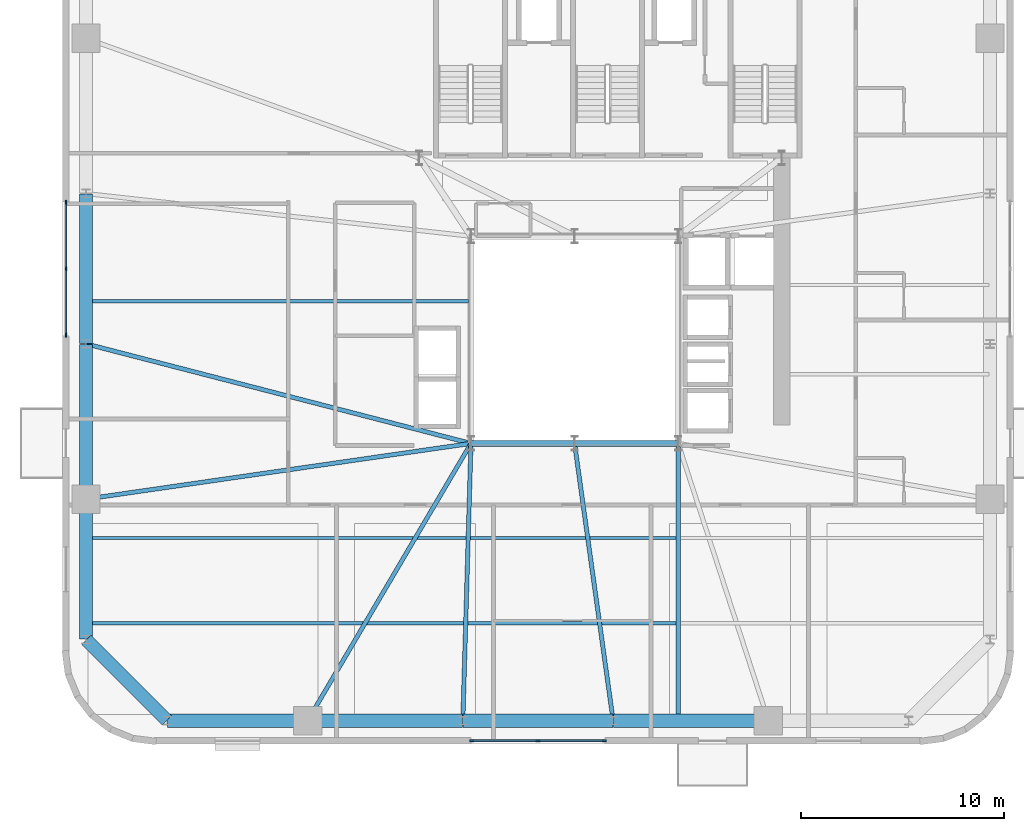
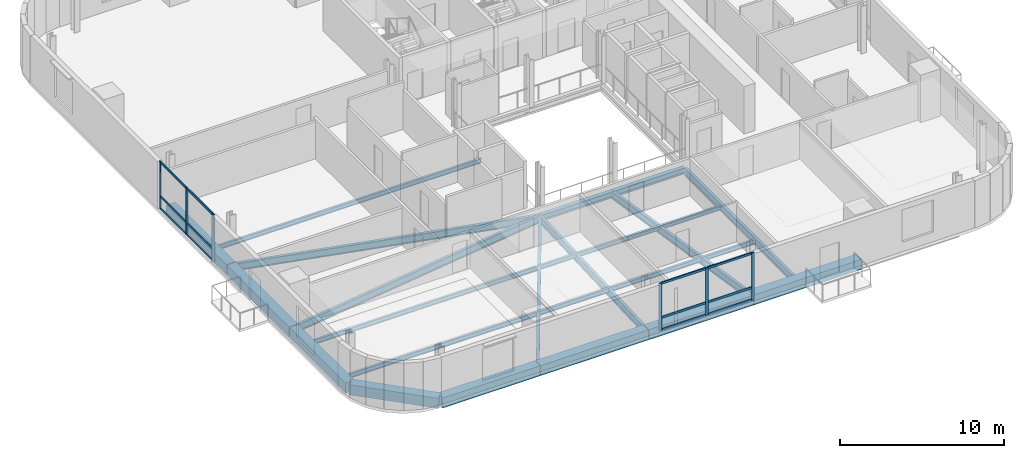
# One storey, part 3 of 16: 19 beams, 18 members, 2 elements without a shape of their own.
"""IFC4 building model written with IfcOpenShell, lengths in metres."""

from ifc_helpers import new_model, si_unit, direction, frame, origin, origin_2d, place, context, subcontext, project, spatial, rectangle, i_section, extrude, source, transform, mapped, material, material_profile, profile_set, type_object, element, aggregate, save


model = new_model("IFC4")

# Units and contexts
model_context = context("Model", 3, precision=1e-05, world=origin(), true_north=direction((0.0, 1.0)))
body_context = subcontext(model_context, "Body", "Model", "MODEL_VIEW")
ifc_project = project(units=[si_unit("LENGTHUNIT", "METRE"), si_unit("AREAUNIT", "SQUARE_METRE"), si_unit("VOLUMEUNIT", "CUBIC_METRE"), si_unit("PLANEANGLEUNIT", "RADIAN"), si_unit("MASSUNIT", "GRAM", prefix="KILO")], contexts=[model_context])

# Site, building, storey
site_placement = place(None, origin())
site = spatial("IfcSite", under=ifc_project, at=site_placement, CompositionType="ELEMENT")
building_placement = place(site_placement, origin())
building = spatial("IfcBuilding", under=site, at=building_placement, Name="Vardaveli Station Tower", CompositionType="ELEMENT")
storey_placement = place(building_placement, frame((0.0, 0.0, 192.300048828125)))
storey = spatial("IfcBuildingStorey", under=building, at=storey_placement, Name="L49", CompositionType="ELEMENT", Elevation=192.300048828125)

# Beams
ifc_material_1 = material(Name="Structural steel S355J2", Category="steel")
ifc_material_profile_1 = material_profile(ifc_material_1, i_section(OverallWidth=0.300048828125, OverallDepth=0.449951171875, WebThickness=0.013916015625, FlangeThickness=0.02587890625, FilletRadius=0.027099609375, at=origin_2d()), Name="HEB 450")
ifc_profile_set_1 = profile_set([ifc_material_profile_1], Name="Structural steel S355J2")
beam_type_1 = type_object("IfcBeamType", Name="BM-HEB450", PredefinedType="BEAM", material=ifc_profile_set_1)
shared_shape_1 = source(origin(), body_context, "Body", "SweptSolid", [
    extrude(i_section(OverallWidth=0.300048828125, OverallDepth=0.449951171875, WebThickness=0.013916015625, FlangeThickness=0.02587890625, FilletRadius=0.027099609375, at=origin_2d()), origin(), (0.0, 0.0, 1.0), 5.06005859375),
])
beam_1_placement = place(storey_placement, frame((31.219970703125, 16.60009765625, -0.445068359375), z_axis=(1.0, 0.0, 0.0), x_axis=(0.0, 1.0, 0.0)))
element("IfcBeam", 1, at=beam_1_placement, inside=storey, type_object=beam_type_1, Name="ABM-L49-01", PredefinedType="BEAM", context=body_context, shape_type="MappedRepresentation", body=[
    mapped(shared_shape_1, transform((0.0, 0.0, 0.0), scale=1.0)),
])
shared_shape_2 = source(origin(), body_context, "Body", "SweptSolid", [
    extrude(i_section(OverallWidth=0.300048828125, OverallDepth=0.449951171875, WebThickness=0.013916015625, FlangeThickness=0.02587890625, FilletRadius=0.027099609375, at=origin_2d()), origin(), (0.0, 0.0, 1.0), 5.059814453125),
])
beam_2_placement = place(storey_placement, frame((36.320068359375, 16.60009765625, -0.445068359375), z_axis=(1.0, 0.0, 0.0), x_axis=(0.0, 1.0, 0.0)))
element("IfcBeam", 2, at=beam_2_placement, inside=storey, type_object=beam_type_1, Name="ABM-L49-02", PredefinedType="BEAM", context=body_context, shape_type="MappedRepresentation", body=[
    mapped(shared_shape_2, transform((0.0, 0.0, 0.0), scale=1.0)),
])
ifc_material_2 = material(Name="Precast concrete C45/55", Category="concrete")
ifc_material_profile_2 = material_profile(ifc_material_2, rectangle(XDim=0.64990234375, YDim=0.75, at=origin_2d()), Name="LPB 650x750")
ifc_profile_set_2 = profile_set([ifc_material_profile_2], Name="Precast concrete C45/55")
beam_type_2 = type_object("IfcBeamType", Name="BM-LPB-750", PredefinedType="BEAM", material=ifc_profile_set_2)
shared_shape_3 = source(origin(), body_context, "Body", "SweptSolid", [
    extrude(rectangle(XDim=0.64990234375, YDim=0.75, at=origin_2d()), origin(), (0.0, 0.0, 1.0), 7.60009765625),
])
for number, where, z_axis, x_axis, name in (
    (3, (23.179931640625, 2.949951171875, -0.594970703125), (1.0, 0.0, 0.0), (0.0, 1.0, 0.0), "RBM-L49-01"),
    (4, (38.219970703125, 2.949951171875, -0.594970703125), (1.0, 0.0, 0.0), (0.0, 1.0, 0.0), "RBM-L49-03"),
    (5, (12.25, 21.47998046875, -0.594970703125), (0.0, -1.0, 0.0), (1.0, 0.0, 0.0), "RBM-L49-21"),
):
    element("IfcBeam", number, at=place(storey_placement, frame(where, z_axis=z_axis, x_axis=x_axis)), inside=storey, type_object=beam_type_2, Name=name, PredefinedType="BEAM", context=body_context, shape_type="MappedRepresentation", body=[
        mapped(shared_shape_3, transform((0.0, 0.0, 0.0), scale=1.0)),
    ])
shared_shape_4 = source(origin(), body_context, "Body", "SweptSolid", [
    extrude(rectangle(XDim=0.64990234375, YDim=0.75, at=origin_2d()), origin(), (0.0, 0.0, 1.0), 7.35986328125),
])
for number, where, z_axis, x_axis, name in (
    (6, (30.820068359375, 2.949951171875, -0.594970703125), (1.0, 0.0, 0.0), (0.0, 1.0, 0.0), "RBM-L49-02"),
    (7, (12.25, 28.8798828125, -0.594970703125), (0.0, -1.0, 0.0), (1.0, 0.0, 0.0), "RBM-L49-20"),
):
    element("IfcBeam", number, at=place(storey_placement, frame(where, z_axis=z_axis, x_axis=x_axis)), inside=storey, type_object=beam_type_2, Name=name, PredefinedType="BEAM", context=body_context, shape_type="MappedRepresentation", body=[
        mapped(shared_shape_4, transform((0.0, 0.0, 0.0), scale=1.0)),
    ])
shared_shape_5 = source(origin(), body_context, "Body", "SweptSolid", [
    extrude(rectangle(XDim=0.64990234375, YDim=0.75, at=origin_2d()), origin(), (0.0, 0.0, 1.0), 6.869873046875),
])
beam_3_placement = place(storey_placement, frame((16.27001953125, 2.949951171875, -0.594970703125), z_axis=(1.0, 0.0, 0.0), x_axis=(0.0, 1.0, 0.0)))
element("IfcBeam", 8, at=beam_3_placement, inside=storey, type_object=beam_type_2, Name="RBM-L49-24", PredefinedType="BEAM", context=body_context, shape_type="MappedRepresentation", body=[
    mapped(shared_shape_5, transform((0.0, 0.0, 0.0), scale=1.0)),
])
shared_shape_6 = source(origin(), body_context, "Body", "SweptSolid", [
    extrude(rectangle(XDim=0.64990234375, YDim=0.75, at=origin_2d()), origin(), (0.0, 0.0, 1.0), 5.61669921875),
])
beam_4_placement = place(storey_placement, frame((12.26416015625, 6.935791015625, -0.594970703125), z_axis=(0.707106781187, -0.707106781187, 0.0), x_axis=(0.707106781187, 0.707106781187, 0.0)))
element("IfcBeam", 9, at=beam_4_placement, inside=storey, type_object=beam_type_2, Name="RBM-L49-23", PredefinedType="BEAM", context=body_context, shape_type="MappedRepresentation", body=[
    mapped(shared_shape_6, transform((0.0, 0.0, 0.0), scale=1.0)),
])
shared_shape_7 = source(origin(), body_context, "Body", "SweptSolid", [
    extrude(rectangle(XDim=0.64990234375, YDim=0.75, at=origin_2d()), origin(), (0.0, 0.0, 1.0), 6.8701171875),
])
beam_5_placement = place(storey_placement, frame((12.25, 13.840087890625, -0.594970703125), z_axis=(0.0, -1.0, 0.0), x_axis=(1.0, 0.0, 0.0)))
element("IfcBeam", 10, at=beam_5_placement, inside=storey, type_object=beam_type_2, Name="RBM-L49-22", PredefinedType="BEAM", context=body_context, shape_type="MappedRepresentation", body=[
    mapped(shared_shape_7, transform((0.0, 0.0, 0.0), scale=1.0)),
])
ifc_material_profile_3 = material_profile(ifc_material_1, i_section(OverallWidth=0.2099609375, OverallDepth=0.550048828125, WebThickness=0.010986328125, FlangeThickness=0.01708984375, FilletRadius=0.02392578125, at=origin_2d()), Name="IPE 550")
ifc_profile_set_3 = profile_set([ifc_material_profile_3], Name="Structural steel S355J2")
beam_type_3 = type_object("IfcBeamType", Name="BM-IPE550", PredefinedType="BEAM", material=ifc_profile_set_3)
shared_shape_8 = source(origin(), body_context, "Body", "SweptSolid", [
    extrude(i_section(OverallWidth=0.2099609375, OverallDepth=0.550048828125, WebThickness=0.010986328125, FlangeThickness=0.01708984375, FilletRadius=0.02392578125, at=origin_2d()), origin(), (0.0, 0.0, 1.0), 13.469970703125),
])
beam_6_placement = place(storey_placement, frame((41.39990234375, 2.989990234375, -0.4951171875), z_axis=(0.0, 1.0, 0.0), x_axis=(-1.0, 0.0, 0.0)))
element("IfcBeam", 11, at=beam_6_placement, inside=storey, type_object=beam_type_3, Name="NSM-L49-S2", PredefinedType="BEAM", context=body_context, shape_type="MappedRepresentation", body=[
    mapped(shared_shape_8, transform((0.0, 0.0, 0.0), scale=1.0)),
])
ifc_material_profile_4 = material_profile(ifc_material_1, i_section(OverallWidth=0.159912109375, OverallDepth=0.330078125, WebThickness=0.007568359375, FlangeThickness=0.011474609375, FilletRadius=0.01806640625, at=origin_2d()), Name="IPE 330")
ifc_profile_set_4 = profile_set([ifc_material_profile_4], Name="Structural steel S355J2")
beam_type_4 = type_object("IfcBeamType", Name="BM-IPE330", PredefinedType="JOIST", material=ifc_profile_set_4)
shared_shape_9 = source(origin(), body_context, "Body", "SweptSolid", [
    extrude(i_section(OverallWidth=0.159912109375, OverallDepth=0.330078125, WebThickness=0.007568359375, FlangeThickness=0.011474609375, FilletRadius=0.01806640625, at=origin_2d()), origin(), (0.0, 0.0, 1.0), 28.998046875),
])
for number, where, z_axis, x_axis, name in (
    (12, (12.2900390625, 7.75, -0.385009765625), (1.0, 0.0, 0.0), (0.0, 1.0, 0.0), "SJ-L49-S01"),
    (13, (12.2900390625, 11.949951171875, -0.385009765625), (1.0, 0.0, 0.0), (0.0, 1.0, 0.0), "SJ-L49-S03"),
):
    element("IfcBeam", number, at=place(storey_placement, frame(where, z_axis=z_axis, x_axis=x_axis)), inside=storey, type_object=beam_type_4, Name=name, PredefinedType="JOIST", context=body_context, shape_type="MappedRepresentation", body=[
        mapped(shared_shape_9, transform((0.0, 0.0, 0.0), scale=1.0)),
    ])
shared_shape_10 = source(origin(), body_context, "Body", "SweptSolid", [
    extrude(i_section(OverallWidth=0.159912109375, OverallDepth=0.330078125, WebThickness=0.007568359375, FlangeThickness=0.011474609375, FilletRadius=0.01806640625, at=origin_2d()), origin(), (0.0, 0.0, 1.0), 18.7978515625),
])
beam_7_placement = place(storey_placement, frame((12.2900390625, 23.60009765625, -0.385009765625), z_axis=(1.0, 0.0, 0.0), x_axis=(0.0, 1.0, 0.0)))
element("IfcBeam", 14, at=beam_7_placement, inside=storey, type_object=beam_type_4, Name="SJ-L49-W06", PredefinedType="JOIST", context=body_context, shape_type="MappedRepresentation", body=[
    mapped(shared_shape_10, transform((0.0, 0.0, 0.0), scale=1.0)),
])
shared_shape_11 = source(origin(), body_context, "Body", "SweptSolid", [
    extrude(i_section(OverallWidth=0.2099609375, OverallDepth=0.550048828125, WebThickness=0.010986328125, FlangeThickness=0.01708984375, FilletRadius=0.02392578125, at=origin_2d()), origin(), (0.0, 0.0, 1.0), 15.8017578125),
])
beam_8_placement = place(storey_placement, frame((23.170166015625, 2.96728515625, -0.4951171875), z_axis=(0.507521713546, 0.86163896748, 0.0), x_axis=(-0.86163896748, 0.507521713546, 0.0)))
element("IfcBeam", 15, at=beam_8_placement, inside=storey, type_object=beam_type_3, Name="GBM-L49-01", PredefinedType="BEAM", context=body_context, shape_type="MappedRepresentation", body=[
    mapped(shared_shape_11, transform((0.0, 0.0, 0.0), scale=1.0)),
])
shared_shape_12 = source(origin(), body_context, "Body", "SweptSolid", [
    extrude(i_section(OverallWidth=0.2099609375, OverallDepth=0.550048828125, WebThickness=0.010986328125, FlangeThickness=0.01708984375, FilletRadius=0.02392578125, at=origin_2d()), origin(), (0.0, 0.0, 1.0), 13.615966796875),
])
beam_9_placement = place(storey_placement, frame((30.800537109375, 2.969970703125, -0.4951171875), z_axis=(0.029298411379, 0.9995707094, 0.0), x_axis=(-0.9995707094, 0.029298411379, 0.0)))
element("IfcBeam", 16, at=beam_9_placement, inside=storey, type_object=beam_type_3, Name="GBM-L49-02", PredefinedType="BEAM", context=body_context, shape_type="MappedRepresentation", body=[
    mapped(shared_shape_12, transform((0.0, 0.0, 0.0), scale=1.0)),
])
shared_shape_13 = source(origin(), body_context, "Body", "SweptSolid", [
    extrude(i_section(OverallWidth=0.2099609375, OverallDepth=0.550048828125, WebThickness=0.010986328125, FlangeThickness=0.01708984375, FilletRadius=0.02392578125, at=origin_2d()), origin(), (0.0, 0.0, 1.0), 13.741455078125),
])
beam_10_placement = place(storey_placement, frame((38.197265625, 2.9697265625, -0.4951171875), z_axis=(-0.137868554024, 0.990450534762, 0.0), x_axis=(-0.990450534762, -0.137868554024, 0.0)))
element("IfcBeam", 17, at=beam_10_placement, inside=storey, type_object=beam_type_3, Name="GBM-L49-03", PredefinedType="BEAM", context=body_context, shape_type="MappedRepresentation", body=[
    mapped(shared_shape_13, transform((0.0, 0.0, 0.0), scale=1.0)),
])
shared_shape_14 = source(origin(), body_context, "Body", "SweptSolid", [
    extrude(i_section(OverallWidth=0.2099609375, OverallDepth=0.550048828125, WebThickness=0.010986328125, FlangeThickness=0.01708984375, FilletRadius=0.02392578125, at=origin_2d()), origin(), (0.0, 0.0, 1.0), 19.533447265625),
])
beam_11_placement = place(storey_placement, frame((12.269287109375, 21.494873046875, -0.4951171875), z_axis=(0.968159081778, -0.250335759272, 0.0), x_axis=(0.250335759272, 0.968159081778, 0.0)))
element("IfcBeam", 18, at=beam_11_placement, inside=storey, type_object=beam_type_3, Name="GBM-L49-09", PredefinedType="BEAM", context=body_context, shape_type="MappedRepresentation", body=[
    mapped(shared_shape_14, transform((0.0, 0.0, 0.0), scale=1.0)),
])
shared_shape_15 = source(origin(), body_context, "Body", "SweptSolid", [
    extrude(i_section(OverallWidth=0.2099609375, OverallDepth=0.550048828125, WebThickness=0.010986328125, FlangeThickness=0.01708984375, FilletRadius=0.02392578125, at=origin_2d()), origin(), (0.0, 0.0, 1.0), 19.107177734375),
])
beam_12_placement = place(storey_placement, frame((12.269775390625, 13.86279296875, -0.4951171875), z_axis=(0.989707072711, 0.143108036903, 0.0), x_axis=(-0.143108036903, 0.989707072711, 0.0)))
element("IfcBeam", 19, at=beam_12_placement, inside=storey, type_object=beam_type_3, Name="GBM-L49-10", PredefinedType="BEAM", context=body_context, shape_type="MappedRepresentation", body=[
    mapped(shared_shape_15, transform((0.0, 0.0, 0.0), scale=1.0)),
])

# Curtain wall, members
ifc_material_3 = material(Name="Travertine stone and solar-control glass", Category="masonry")
curtain_wall_type = type_object("IfcCurtainWallType", Name="CW-SYS-5", PredefinedType="NOTDEFINED", material=ifc_material_3)
curtain_wall_1_placement = place(storey_placement, origin())
curtain_wall_1 = element("IfcCurtainWall", 20, at=curtain_wall_1_placement, inside=storey, type_object=curtain_wall_type, Name="CW-L49-S", PredefinedType="NOTDEFINED")
ifc_material_4 = material(Name="Anodised aluminium alloy 6063-T6", Category="aluminium")
ifc_material_profile_5 = material_profile(ifc_material_4, rectangle(XDim=0.080078125, YDim=0.1650390625, at=origin_2d()), Name="CWT 80x165")
ifc_profile_set_5 = profile_set([ifc_material_profile_5], Name="Anodised aluminium alloy 6063-T6")
member_type_1 = type_object("IfcMemberType", Name="CW-SYS-5-TRAN", PredefinedType="NOTDEFINED", material=ifc_profile_set_5)
shared_shape_16 = source(origin(), body_context, "Body", "SweptSolid", [
    extrude(rectangle(XDim=0.080078125, YDim=0.1650390625, at=origin_2d()), origin(), (0.0, 0.0, 1.0), 3.179931640625),
])
member_1_placement = place(storey_placement, frame((31.280029296875, 1.9599609375, 0.0400390625), z_axis=(1.0, 0.0, 0.0), x_axis=(0.0, 1.0, 0.0)))
member_1 = element("IfcMember", 21, at=member_1_placement, type_object=member_type_1, Name="CW-5 transom 1.1", ObjectType="TRANSOM", PredefinedType="USERDEFINED", context=body_context, shape_type="MappedRepresentation", body=[
    mapped(shared_shape_16, transform((0.0, 0.0, 0.0), scale=1.0)),
])
member_2_placement = place(storey_placement, frame((31.280029296875, 1.9599609375, 0.949951171875), z_axis=(1.0, 0.0, 0.0), x_axis=(0.0, 1.0, 0.0)))
member_2 = element("IfcMember", 22, at=member_2_placement, type_object=member_type_1, Name="CW-5 transom 1.2", ObjectType="TRANSOM", PredefinedType="USERDEFINED", context=body_context, shape_type="MappedRepresentation", body=[
    mapped(shared_shape_16, transform((0.0, 0.0, 0.0), scale=1.0)),
])
member_3_placement = place(storey_placement, frame((31.280029296875, 1.9599609375, 3.489990234375), z_axis=(1.0, 0.0, 0.0), x_axis=(0.0, 1.0, 0.0)))
member_3 = element("IfcMember", 23, at=member_3_placement, type_object=member_type_1, Name="CW-5 transom 1.3", ObjectType="TRANSOM", PredefinedType="USERDEFINED", context=body_context, shape_type="MappedRepresentation", body=[
    mapped(shared_shape_16, transform((0.0, 0.0, 0.0), scale=1.0)),
])
member_4_placement = place(storey_placement, frame((34.5400390625, 1.9599609375, 0.0400390625), z_axis=(1.0, 0.0, 0.0), x_axis=(0.0, 1.0, 0.0)))
member_4 = element("IfcMember", 24, at=member_4_placement, type_object=member_type_1, Name="CW-5 transom 2.1", ObjectType="TRANSOM", PredefinedType="USERDEFINED", context=body_context, shape_type="MappedRepresentation", body=[
    mapped(shared_shape_16, transform((0.0, 0.0, 0.0), scale=1.0)),
])
member_5_placement = place(storey_placement, frame((34.5400390625, 1.9599609375, 0.949951171875), z_axis=(1.0, 0.0, 0.0), x_axis=(0.0, 1.0, 0.0)))
member_5 = element("IfcMember", 25, at=member_5_placement, type_object=member_type_1, Name="CW-5 transom 2.2", ObjectType="TRANSOM", PredefinedType="USERDEFINED", context=body_context, shape_type="MappedRepresentation", body=[
    mapped(shared_shape_16, transform((0.0, 0.0, 0.0), scale=1.0)),
])
member_6_placement = place(storey_placement, frame((34.5400390625, 1.9599609375, 3.489990234375), z_axis=(1.0, 0.0, 0.0), x_axis=(0.0, 1.0, 0.0)))
member_6 = element("IfcMember", 26, at=member_6_placement, type_object=member_type_1, Name="CW-5 transom 2.3", ObjectType="TRANSOM", PredefinedType="USERDEFINED", context=body_context, shape_type="MappedRepresentation", body=[
    mapped(shared_shape_16, transform((0.0, 0.0, 0.0), scale=1.0)),
])

curtain_wall_2_placement = place(storey_placement, origin())
curtain_wall_2 = element("IfcCurtainWall", 27, at=curtain_wall_2_placement, inside=storey, type_object=curtain_wall_type, Name="CW-L49-W", PredefinedType="NOTDEFINED")
member_7_placement = place(storey_placement, frame((11.260009765625, 28.419921875, 0.0400390625), z_axis=(0.0, -1.0, 0.0), x_axis=(1.0, 0.0, 0.0)))
member_7 = element("IfcMember", 28, at=member_7_placement, type_object=member_type_1, Name="CW-5 transom 1.1", ObjectType="TRANSOM", PredefinedType="USERDEFINED", context=body_context, shape_type="MappedRepresentation", body=[
    mapped(shared_shape_16, transform((0.0, 0.0, 0.0), scale=1.0)),
])
member_8_placement = place(storey_placement, frame((11.260009765625, 28.419921875, 0.949951171875), z_axis=(0.0, -1.0, 0.0), x_axis=(1.0, 0.0, 0.0)))
member_8 = element("IfcMember", 29, at=member_8_placement, type_object=member_type_1, Name="CW-5 transom 1.2", ObjectType="TRANSOM", PredefinedType="USERDEFINED", context=body_context, shape_type="MappedRepresentation", body=[
    mapped(shared_shape_16, transform((0.0, 0.0, 0.0), scale=1.0)),
])
member_9_placement = place(storey_placement, frame((11.260009765625, 28.419921875, 3.489990234375), z_axis=(0.0, -1.0, 0.0), x_axis=(1.0, 0.0, 0.0)))
member_9 = element("IfcMember", 30, at=member_9_placement, type_object=member_type_1, Name="CW-5 transom 1.3", ObjectType="TRANSOM", PredefinedType="USERDEFINED", context=body_context, shape_type="MappedRepresentation", body=[
    mapped(shared_shape_16, transform((0.0, 0.0, 0.0), scale=1.0)),
])
member_10_placement = place(storey_placement, frame((11.260009765625, 25.159912109375, 0.0400390625), z_axis=(0.0, -1.0, 0.0), x_axis=(1.0, 0.0, 0.0)))
member_10 = element("IfcMember", 31, at=member_10_placement, type_object=member_type_1, Name="CW-5 transom 2.1", ObjectType="TRANSOM", PredefinedType="USERDEFINED", context=body_context, shape_type="MappedRepresentation", body=[
    mapped(shared_shape_16, transform((0.0, 0.0, 0.0), scale=1.0)),
])
member_11_placement = place(storey_placement, frame((11.260009765625, 25.159912109375, 0.949951171875), z_axis=(0.0, -1.0, 0.0), x_axis=(1.0, 0.0, 0.0)))
member_11 = element("IfcMember", 32, at=member_11_placement, type_object=member_type_1, Name="CW-5 transom 2.2", ObjectType="TRANSOM", PredefinedType="USERDEFINED", context=body_context, shape_type="MappedRepresentation", body=[
    mapped(shared_shape_16, transform((0.0, 0.0, 0.0), scale=1.0)),
])
member_12_placement = place(storey_placement, frame((11.260009765625, 25.159912109375, 3.489990234375), z_axis=(0.0, -1.0, 0.0), x_axis=(1.0, 0.0, 0.0)))
member_12 = element("IfcMember", 33, at=member_12_placement, type_object=member_type_1, Name="CW-5 transom 2.3", ObjectType="TRANSOM", PredefinedType="USERDEFINED", context=body_context, shape_type="MappedRepresentation", body=[
    mapped(shared_shape_16, transform((0.0, 0.0, 0.0), scale=1.0)),
])

# Member
ifc_material_profile_6 = material_profile(ifc_material_4, rectangle(XDim=0.080078125, YDim=0.205078125, at=origin_2d()), Name="CWM 80x205")
ifc_profile_set_6 = profile_set([ifc_material_profile_6], Name="Anodised aluminium alloy 6063-T6")
member_type_2 = type_object("IfcMemberType", Name="CW-SYS-5-MULL", PredefinedType="MULLION", material=ifc_profile_set_6)
shared_shape_17 = source(origin(), body_context, "Body", "SweptSolid", [
    extrude(rectangle(XDim=0.080078125, YDim=0.205078125, at=origin_2d()), origin(), (0.0, 0.0, 1.0), 3.530029296875),
])
member_13_placement = place(storey_placement, frame((31.239990234375, 1.9599609375, 0.0), z_axis=(0.0, 0.0, 1.0), x_axis=(0.0, 1.0, 0.0)))
member_13 = element("IfcMember", 34, at=member_13_placement, type_object=member_type_2, Name="CW-5 mullion 1", PredefinedType="MULLION", context=body_context, shape_type="MappedRepresentation", body=[
    mapped(shared_shape_17, transform((0.0, 0.0, 0.0), scale=1.0)),
])

member_14_placement = place(storey_placement, frame((34.5, 1.9599609375, 0.0), z_axis=(0.0, 0.0, 1.0), x_axis=(0.0, 1.0, 0.0)))
member_14 = element("IfcMember", 35, at=member_14_placement, type_object=member_type_2, Name="CW-5 mullion 2", PredefinedType="MULLION", context=body_context, shape_type="MappedRepresentation", body=[
    mapped(shared_shape_17, transform((0.0, 0.0, 0.0), scale=1.0)),
])

member_15_placement = place(storey_placement, frame((37.760009765625, 1.9599609375, 0.0), z_axis=(0.0, 0.0, 1.0), x_axis=(0.0, 1.0, 0.0)))
member_15 = element("IfcMember", 36, at=member_15_placement, type_object=member_type_2, Name="CW-5 mullion 3", PredefinedType="MULLION", context=body_context, shape_type="MappedRepresentation", body=[
    mapped(shared_shape_17, transform((0.0, 0.0, 0.0), scale=1.0)),
])

aggregate(curtain_wall_1, [member_13, member_14, member_15, member_1, member_2, member_3, member_4, member_5, member_6])

member_16_placement = place(storey_placement, frame((11.260009765625, 28.4599609375, 0.0), z_axis=(0.0, 0.0, 1.0), x_axis=(1.0, 0.0, 0.0)))
member_16 = element("IfcMember", 37, at=member_16_placement, type_object=member_type_2, Name="CW-5 mullion 1", PredefinedType="MULLION", context=body_context, shape_type="MappedRepresentation", body=[
    mapped(shared_shape_17, transform((0.0, 0.0, 0.0), scale=1.0)),
])

member_17_placement = place(storey_placement, frame((11.260009765625, 25.199951171875, 0.0), z_axis=(0.0, 0.0, 1.0), x_axis=(1.0, 0.0, 0.0)))
member_17 = element("IfcMember", 38, at=member_17_placement, type_object=member_type_2, Name="CW-5 mullion 2", PredefinedType="MULLION", context=body_context, shape_type="MappedRepresentation", body=[
    mapped(shared_shape_17, transform((0.0, 0.0, 0.0), scale=1.0)),
])

member_18_placement = place(storey_placement, frame((11.260009765625, 21.93994140625, 0.0), z_axis=(0.0, 0.0, 1.0), x_axis=(1.0, 0.0, 0.0)))
member_18 = element("IfcMember", 39, at=member_18_placement, type_object=member_type_2, Name="CW-5 mullion 3", PredefinedType="MULLION", context=body_context, shape_type="MappedRepresentation", body=[
    mapped(shared_shape_17, transform((0.0, 0.0, 0.0), scale=1.0)),
])

aggregate(curtain_wall_2, [member_16, member_17, member_18, member_7, member_8, member_9, member_10, member_11, member_12])

save(model, "model.ifc")
